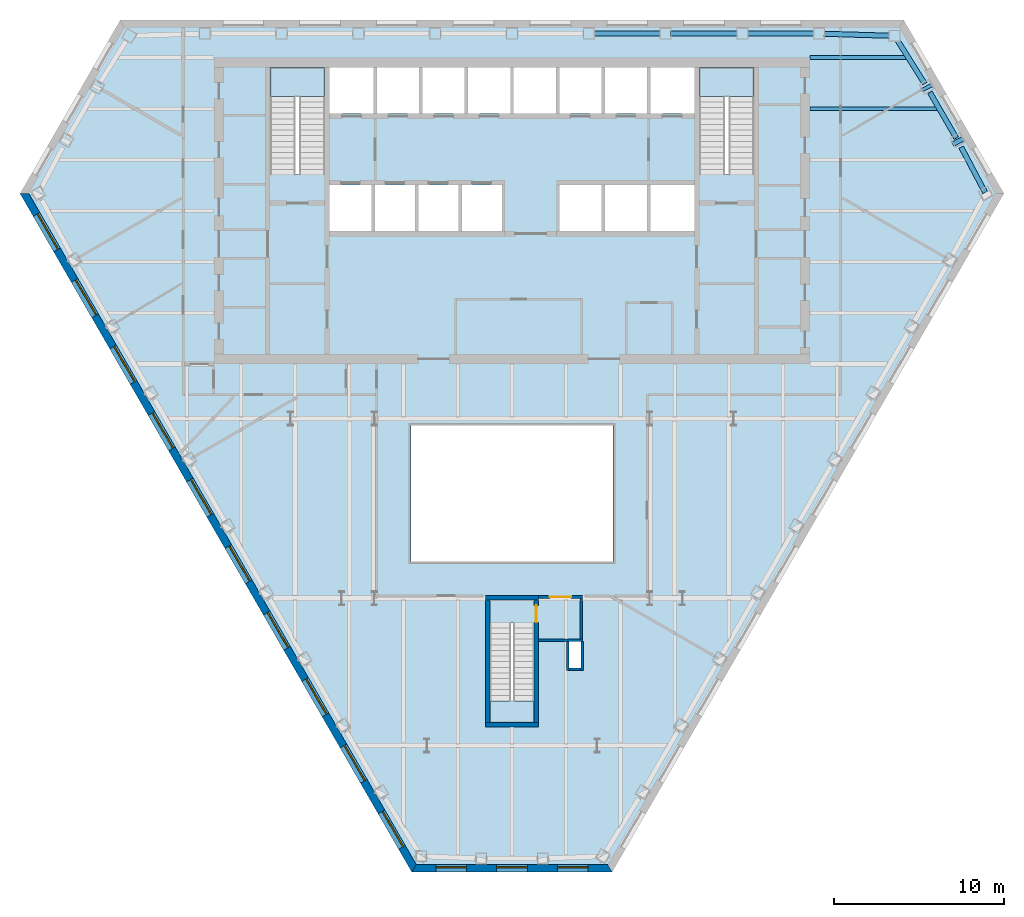
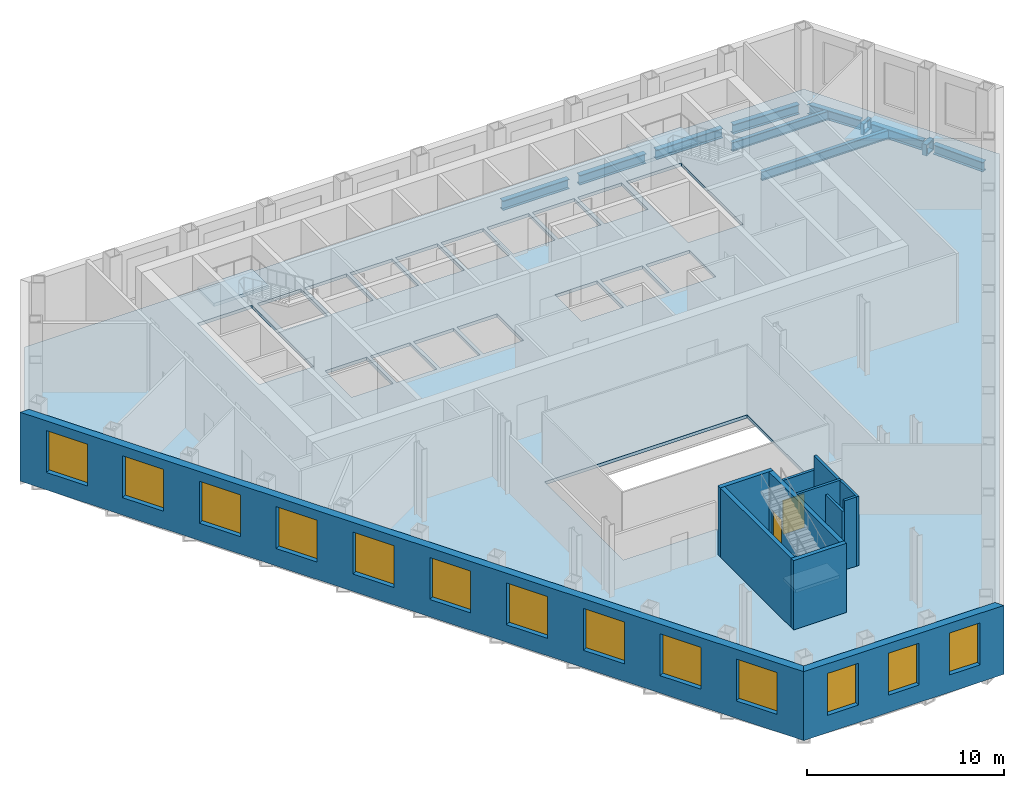
# One storey, part 4 of 11: 13 windows, 12 walls, 11 beams, 4 slabs, 2 doors, 15 openings, 3 elements without a shape of their own.
"""IFC4 building model written with IfcOpenShell, lengths in metres."""

import ifcopenshell
import ifcopenshell.guid

model = None  # the IFC model being written
_history = None  # IfcOwnerHistory: only IFC2X3 demands one
_inside = {}  # id of a spatial element -> (the spatial element, [elements in it])
_under = {}  # id of a project, library or spatial element -> (it, [spatial elements below it])
_declared = {}  # id of a project -> (the project, [libraries it declares])
_typed = {}  # id of a type object -> (the type object, [elements of that type])
_made_of = {}  # id of a material, layer set ... -> (it, [elements and type objects made of it])


def new_model(schema):
    """Start an empty IFC model of exactly this schema.

    Asked for "IFC4X3", IfcOpenShell would pick the latest addendum, in which some entities
    have other attributes; the version numbers below select the first issue.
    IFC2X3 requires an IfcOwnerHistory on every rooted entity: one is made here for all.
    """
    global model, _history
    if schema == "IFC4X3":
        model = ifcopenshell.file(schema_version=(4, 3, 0, 0))
    else:
        model = ifcopenshell.file(schema=schema)
    _inside.clear()
    _under.clear()
    _declared.clear()
    _typed.clear()
    _made_of.clear()
    _history = None
    if model.schema == "IFC2X3":
        org = make("IfcOrganization", Name="unknown")
        user = make(
            "IfcPersonAndOrganization",
            ThePerson=make("IfcPerson", FamilyName="unknown"),
            TheOrganization=org,
        )
        app = make(
            "IfcApplication",
            ApplicationDeveloper=org,
            Version="unknown",
            ApplicationFullName="unknown",
            ApplicationIdentifier="unknown",
        )
        _history = make(
            "IfcOwnerHistory",
            OwningUser=user,
            OwningApplication=app,
            ChangeAction="ADDED",
            CreationDate=0,
        )
    return model


def make(cls, **values):
    """One entity of the class cls with the attributes given. An attribute that is None is left unset."""
    return model.create_entity(
        cls, **{name: value for name, value in values.items() if value is not None}
    )


def rooted(cls, **values):
    """An entity with a GlobalId (a new one), such as an element, a storey or a relation."""
    return make(cls, GlobalId=ifcopenshell.guid.new(), OwnerHistory=_history, **values)


def si_unit(unit_type, name, prefix=None):
    """IfcSIUnit, for example si_unit("LENGTHUNIT", "METRE", prefix="MILLI")."""
    return make("IfcSIUnit", UnitType=unit_type, Prefix=prefix, Name=name)


def assignment(units):
    """IfcUnitAssignment: the units of a project."""
    return None if units is None else make("IfcUnitAssignment", Units=units)


def point(xyz):
    """IfcCartesianPoint."""
    return None if xyz is None else make("IfcCartesianPoint", Coordinates=xyz)


def direction(xyz):
    """IfcDirection."""
    return None if xyz is None else make("IfcDirection", DirectionRatios=xyz)


def frame(location, z_axis=None, x_axis=None):
    """IfcAxis2Placement3D, a coordinate frame: its origin and axes. An axis left out is left unset."""
    return make(
        "IfcAxis2Placement3D",
        Location=point(location),
        Axis=direction(z_axis),
        RefDirection=direction(x_axis),
    )


def frame_2d(location, x_axis=None):
    """IfcAxis2Placement2D, a coordinate frame in the plane: its origin and x axis."""
    return make(
        "IfcAxis2Placement2D", Location=point(location), RefDirection=direction(x_axis)
    )


def origin():
    """The frame at (0, 0, 0) with its axes left unset."""
    return frame((0.0, 0.0, 0.0))


def origin_2d():
    """The frame at (0, 0) in the plane with its x axis left unset."""
    return frame_2d((0.0, 0.0))


def place(relative_to, where):
    """IfcLocalPlacement: puts the frame where relative to a parent placement (None: the world)."""
    return make(
        "IfcLocalPlacement", PlacementRelTo=relative_to, RelativePlacement=where
    )


def context(
    kind, dimensions, precision=None, world=None, true_north=None, identifier=None
):
    """IfcGeometricRepresentationContext, for example the 3D "Model" context."""
    return make(
        "IfcGeometricRepresentationContext",
        ContextIdentifier=identifier,
        ContextType=kind,
        CoordinateSpaceDimension=dimensions,
        Precision=precision,
        WorldCoordinateSystem=world,
        TrueNorth=true_north,
    )


def subcontext(parent, identifier, kind, view, scale=None):
    """IfcGeometricRepresentationSubContext, for example "Body" below "Model"."""
    return make(
        "IfcGeometricRepresentationSubContext",
        ContextIdentifier=identifier,
        ContextType=kind,
        ParentContext=parent,
        TargetScale=scale,
        TargetView=view,
    )


def project(units=None, contexts=None):
    """IfcProject with its units and contexts."""
    return rooted(
        "IfcProject",
        Name="project",
        RepresentationContexts=contexts,
        UnitsInContext=assignment(units),
    )


def spatial(cls, under=None, at=None, **own):
    """A site, building, storey or space (cls), placed at a placement, below another one or the project."""
    s = rooted(cls, ObjectPlacement=at, **own)
    if under is not None:
        _under.setdefault(under.id(), (under, []))[1].append(s)
    return s


def polyline(points):
    """IfcPolyline through the points."""
    return make("IfcPolyline", Points=[point(p) for p in points])


def profile(cls, at=None, kind="AREA", **sizes):
    """A parametric profile (cls). Its sizes go by their IFC names, for example OverallWidth=200.0."""
    return make(cls, ProfileType=kind, Position=at, **sizes)


def rectangle(**sizes):
    """IfcRectangleProfileDef."""
    return profile("IfcRectangleProfileDef", **sizes)


def hollow_rectangle(**sizes):
    """IfcRectangleHollowProfileDef."""
    return profile("IfcRectangleHollowProfileDef", **sizes)


def i_section(**sizes):
    """IfcIShapeProfileDef."""
    return profile("IfcIShapeProfileDef", **sizes)


def outline(outer, holes=None, kind="AREA"):
    """IfcArbitraryClosedProfileDef: a profile drawn as a closed curve; with holes, ...WithVoids."""
    if holes is None:
        return make("IfcArbitraryClosedProfileDef", ProfileType=kind, OuterCurve=outer)
    return make(
        "IfcArbitraryProfileDefWithVoids",
        ProfileType=kind,
        OuterCurve=outer,
        InnerCurves=holes,
    )


def extrude(swept, where, along, depth):
    """IfcExtrudedAreaSolid: the profile swept, set in the frame where, extruded along a direction by depth."""
    return make(
        "IfcExtrudedAreaSolid",
        SweptArea=swept,
        Position=where,
        ExtrudedDirection=direction(along),
        Depth=depth,
    )


def clip(a, b, op="DIFFERENCE"):
    """IfcBooleanClippingResult: the solid a cut by the half space b."""
    return make(
        "IfcBooleanClippingResult", Operator=op, FirstOperand=a, SecondOperand=b
    )


def halfspace(plane, agree):
    """IfcHalfSpaceSolid: all space on one side of the plane z = 0 of the frame plane."""
    return make(
        "IfcHalfSpaceSolid",
        BaseSurface=make("IfcPlane", Position=plane),
        AgreementFlag=agree,
    )


def shape(context_of_items, identifier, shape_type, items):
    """IfcShapeRepresentation: the items that make up one representation, for example the "Body"."""
    return make(
        "IfcShapeRepresentation",
        ContextOfItems=context_of_items,
        RepresentationIdentifier=identifier,
        RepresentationType=shape_type,
        Items=items,
    )


def material(Name=None, Category=None):
    """IfcMaterial."""
    return make("IfcMaterial", Name=Name, Category=Category)


def layer(
    of_material, thickness, ventilated=None, Name=None, Category=None, Priority=None
):
    """IfcMaterialLayer: one layer of a wall or slab, of a material (None: an air gap)."""
    return make(
        "IfcMaterialLayer",
        Material=of_material,
        LayerThickness=thickness,
        IsVentilated=ventilated,
        Name=Name,
        Category=Category,
        Priority=Priority,
    )


def layer_set(layers, Name=None):
    """IfcMaterialLayerSet."""
    return make("IfcMaterialLayerSet", MaterialLayers=layers, LayerSetName=Name)


def material_profile(
    of_material, cross_section, Name=None, Category=None, Priority=None
):
    """IfcMaterialProfile: a cross section and its material."""
    return make(
        "IfcMaterialProfile",
        Name=Name,
        Material=of_material,
        Profile=cross_section,
        Priority=Priority,
        Category=Category,
    )


def profile_set(profiles, Name=None, composite=None):
    """IfcMaterialProfileSet."""
    return make(
        "IfcMaterialProfileSet",
        Name=Name,
        MaterialProfiles=profiles,
        CompositeProfile=composite,
    )


def made_of(thing, what):
    """Note that an element or type object is made of a material, layer set ...; save() writes the relation."""
    if what is not None:
        _made_of.setdefault(what.id(), (what, []))[1].append(thing)
    return thing


def type_object(cls, material=None, **own):
    """A type object (cls), such as IfcWallType, which elements share."""
    return made_of(rooted(cls, **own), material)


def element(
    cls,
    number,
    at=None,
    inside=None,
    cuts=None,
    type_object=None,
    material=None,
    context=None,
    identifier="Body",
    shape_type=None,
    held_by="IfcProductDefinitionShape",
    body=None,
    shapes=None,
    **own,
):
    """One element of the class cls, such as IfcWall. Its Tag is "e" and its number.

    at: its placement. inside: the storey or other place that contains it. cuts: it is an
    opening in that element (IfcRelVoidsElement). A single representation is given by context,
    identifier, shape_type and body (its items); several are given by shapes. held_by: the class
    of the entity that holds the representations. save() writes the other relations.
    """
    e = rooted(cls, Tag="e%d" % number, ObjectPlacement=at, **own)
    if body is not None:
        shapes = [shape(context, identifier, shape_type, body)]
    if shapes is not None:
        e.Representation = make(held_by, Representations=shapes)
    if inside is not None:
        _inside.setdefault(inside.id(), (inside, []))[1].append(e)
    if cuts is not None:
        rooted(
            "IfcRelVoidsElement", RelatingBuildingElement=cuts, RelatedOpeningElement=e
        )
    if type_object is not None:
        _typed.setdefault(type_object.id(), (type_object, []))[1].append(e)
    return made_of(e, material)


def fill(opening, filler):
    """IfcRelFillsElement: the door or window that sits in an opening."""
    return rooted(
        "IfcRelFillsElement",
        RelatingOpeningElement=opening,
        RelatedBuildingElement=filler,
    )


def aggregate(whole, parts):
    """IfcRelAggregates: a whole, such as a stair, and the parts it consists of."""
    return rooted("IfcRelAggregates", RelatingObject=whole, RelatedObjects=parts)


def save(model, path):
    """Write the relations noted so far, then the file.

    IfcRelAggregates (storeys below a building ...), IfcRelContainedInSpatialStructure (elements
    in a storey), IfcRelDefinesByType, IfcRelAssociatesMaterial and IfcRelDeclares: one each for
    every whole, place, type object, material and project.
    """
    for whole, parts in _under.values():
        aggregate(whole, parts)
    for where, things in _inside.values():
        rooted(
            "IfcRelContainedInSpatialStructure",
            RelatedElements=things,
            RelatingStructure=where,
        )
    for kind, things in _typed.values():
        rooted("IfcRelDefinesByType", RelatedObjects=things, RelatingType=kind)
    for what, things in _made_of.values():
        rooted("IfcRelAssociatesMaterial", RelatedObjects=things, RelatingMaterial=what)
    for by, libraries in _declared.values():
        rooted("IfcRelDeclares", RelatingContext=by, RelatedDefinitions=libraries)
    model.write(path)


model = new_model("IFC4")

# Units and contexts
model_context = context("Model", 3, precision=1e-05, world=origin(), true_north=direction((0.0, 1.0)))
body_context = subcontext(model_context, "Body", "Model", "MODEL_VIEW")
ifc_project = project(units=[si_unit("LENGTHUNIT", "METRE"), si_unit("AREAUNIT", "SQUARE_METRE"), si_unit("VOLUMEUNIT", "CUBIC_METRE"), si_unit("PLANEANGLEUNIT", "RADIAN"), si_unit("MASSUNIT", "GRAM", prefix="KILO")], contexts=[model_context])

# Site, building, storey
site_placement = place(None, origin())
site = spatial("IfcSite", under=ifc_project, at=site_placement, CompositionType="ELEMENT")
building_placement = place(site_placement, origin())
building = spatial("IfcBuilding", under=site, at=building_placement, Name="Njiva Tower", CompositionType="ELEMENT")
storey_placement = place(building_placement, frame((0.0, 0.0, 33.3)))
storey = spatial("IfcBuildingStorey", under=building, at=storey_placement, Name="L06", CompositionType="ELEMENT", Elevation=33.3)

# Beams
ifc_material_1 = material(Name="Steel S355 J2", Category="steel")
ifc_material_profile_1 = material_profile(ifc_material_1, i_section(OverallWidth=0.21, OverallDepth=0.55, WebThickness=0.0111, FlangeThickness=0.0172, at=origin_2d()), Name="IPE 550")
ifc_profile_set_1 = profile_set([ifc_material_profile_1], Name="Steel S355 J2")
beam_type_1 = type_object("IfcBeamType", Name="B10 Floor beam to the core IPE 550", PredefinedType="BEAM", material=ifc_profile_set_1)
beam_1_placement = place(storey_placement, frame((17.5, 15.0, -0.475), z_axis=(1.0, 0.0, 0.0), x_axis=(0.0, 1.0, 0.0)))
element("IfcBeam", 1, at=beam_1_placement, inside=storey, type_object=beam_type_1, Name="Floor beam to the core S02-B013", PredefinedType="BEAM", context=body_context, shape_type="Clipping", body=[
    clip(extrude(i_section(OverallWidth=0.21, OverallDepth=0.55, WebThickness=0.0111, FlangeThickness=0.0172, at=origin_2d()), origin(), (0.0, 0.0, 1.0), 7.549), halfspace(frame((0.025, 0.0, 7.4536), z_axis=(0.499998009787, 0.0, 0.866026552831), x_axis=(0.0, 1.0, 0.0)), False)),
])
beam_2_placement = place(storey_placement, frame((17.5, 18.0, -0.475), z_axis=(1.0, 0.0, 0.0), x_axis=(0.0, 1.0, 0.0)))
element("IfcBeam", 2, at=beam_2_placement, inside=storey, type_object=beam_type_1, Name="Floor beam to the core S02-B014", PredefinedType="BEAM", context=body_context, shape_type="Clipping", body=[
    clip(extrude(i_section(OverallWidth=0.21, OverallDepth=0.55, WebThickness=0.0111, FlangeThickness=0.0172, at=origin_2d()), origin(), (0.0, 0.0, 1.0), 5.731), halfspace(frame((0.0266, 0.0, 5.6279), z_axis=(0.53222991141, 0.0, 0.846599859083), x_axis=(0.0, 1.0, 0.0)), False)),
])
ifc_material_profile_2 = material_profile(ifc_material_1, hollow_rectangle(XDim=0.7, YDim=0.7, WallThickness=0.08, at=origin_2d()), Name="BOX 700x700x80")
ifc_profile_set_2 = profile_set([ifc_material_profile_2], Name="Steel S355 J2")
beam_type_2 = type_object("IfcBeamType", Name="B19 Column jog beam BOX 700x700x80", PredefinedType="BEAM", material=ifc_profile_set_2)
beam_3_placement = place(storey_placement, frame((26.258, 12.952, -0.55), z_axis=(-0.471522073271, 0.881854259171, 0.0), x_axis=(-0.881854259171, -0.471522073271, 0.0)))
element("IfcBeam", 3, at=beam_3_placement, inside=storey, type_object=beam_type_2, Name="Column jog beam S02-B060", PredefinedType="BEAM", context=body_context, shape_type="SweptSolid", body=[
    extrude(hollow_rectangle(XDim=0.7, YDim=0.7, WallThickness=0.08, at=origin_2d()), origin(), (0.0, 0.0, 1.0), 0.2778),
])
beam_4_placement = place(storey_placement, frame((24.411, 16.149, -0.55), z_axis=(-0.449231473961, 0.893415403271, 0.0), x_axis=(-0.893415403271, -0.449231473961, 0.0)))
element("IfcBeam", 4, at=beam_4_placement, inside=storey, type_object=beam_type_2, Name="Column jog beam S02-B058", PredefinedType="BEAM", context=body_context, shape_type="SweptSolid", body=[
    extrude(hollow_rectangle(XDim=0.7, YDim=0.7, WallThickness=0.08, at=origin_2d()), origin(), (0.0, 0.0, 1.0), 0.1981),
])
ifc_material_profile_3 = material_profile(ifc_material_1, i_section(OverallWidth=0.3, OverallDepth=0.6, WebThickness=0.0155, FlangeThickness=0.03, at=origin_2d()), Name="HEB 600")
ifc_profile_set_3 = profile_set([ifc_material_profile_3], Name="Steel S355 J2")
beam_type_3 = type_object("IfcBeamType", Name="B3 Short-span spandrel beam HEB 600", PredefinedType="SPANDREL", material=ifc_profile_set_3)
beam_5_placement = place(storey_placement, frame((22.157, 19.276, -0.5), z_axis=(-0.999547870884, 0.030067487615, 0.0), x_axis=(-0.030067487615, -0.999547870884, 0.0)))
element("IfcBeam", 5, at=beam_5_placement, inside=storey, type_object=beam_type_3, Name="Short-span spandrel beam S02-B163", PredefinedType="SPANDREL", context=body_context, shape_type="SweptSolid", body=[
    extrude(i_section(OverallWidth=0.3, OverallDepth=0.6, WebThickness=0.0155, FlangeThickness=0.03, at=origin_2d()), origin(), (0.0, 0.0, 1.0), 3.8247),
])
beam_6_placement = place(storey_placement, frame((17.73, 19.4, -0.5), z_axis=(-1.0, 0.0, 0.0), x_axis=(0.0, -1.0, 0.0)))
element("IfcBeam", 6, at=beam_6_placement, inside=storey, type_object=beam_type_3, Name="Short-span spandrel beam S02-B157", PredefinedType="SPANDREL", context=body_context, shape_type="SweptSolid", body=[
    extrude(i_section(OverallWidth=0.3, OverallDepth=0.6, WebThickness=0.0155, FlangeThickness=0.03, at=origin_2d()), origin(), (0.0, 0.0, 1.0), 3.907),
])
beam_7_placement = place(storey_placement, frame((13.223, 19.4, -0.5), z_axis=(-1.0, 0.0, 0.0), x_axis=(0.0, -1.0, 0.0)))
element("IfcBeam", 7, at=beam_7_placement, inside=storey, type_object=beam_type_3, Name="Short-span spandrel beam S02-B151", PredefinedType="SPANDREL", context=body_context, shape_type="SweptSolid", body=[
    extrude(i_section(OverallWidth=0.3, OverallDepth=0.6, WebThickness=0.0155, FlangeThickness=0.03, at=origin_2d()), origin(), (0.0, 0.0, 1.0), 3.908),
])
beam_8_placement = place(storey_placement, frame((8.715, 19.4, -0.5), z_axis=(-1.0, 0.0, 0.0), x_axis=(0.0, -1.0, 0.0)))
element("IfcBeam", 8, at=beam_8_placement, inside=storey, type_object=beam_type_3, Name="Short-span spandrel beam S02-B146", PredefinedType="SPANDREL", context=body_context, shape_type="SweptSolid", body=[
    extrude(i_section(OverallWidth=0.3, OverallDepth=0.6, WebThickness=0.0155, FlangeThickness=0.03, at=origin_2d()), origin(), (0.0, 0.0, 1.0), 3.907),
])
beam_9_placement = place(storey_placement, frame((27.776, 10.075, -0.5), z_axis=(-0.467047479457, 0.884232238687, 0.0), x_axis=(-0.884232238687, -0.467047479457, 0.0)))
element("IfcBeam", 9, at=beam_9_placement, inside=storey, type_object=beam_type_3, Name="Short-span spandrel beam S02-B178", PredefinedType="SPANDREL", context=body_context, shape_type="SweptSolid", body=[
    extrude(i_section(OverallWidth=0.3, OverallDepth=0.6, WebThickness=0.0155, FlangeThickness=0.03, at=origin_2d()), origin(), (0.0, 0.0, 1.0), 3.0083),
])
beam_10_placement = place(storey_placement, frame((26.084, 13.267, -0.5), z_axis=(-0.499965068118, 0.866045570776, 0.0), x_axis=(-0.866045570776, -0.499965068118, 0.0)))
element("IfcBeam", 10, at=beam_10_placement, inside=storey, type_object=beam_type_3, Name="Short-span spandrel beam S02-B174", PredefinedType="SPANDREL", context=body_context, shape_type="SweptSolid", body=[
    extrude(i_section(OverallWidth=0.3, OverallDepth=0.6, WebThickness=0.0155, FlangeThickness=0.03, at=origin_2d()), origin(), (0.0, 0.0, 1.0), 3.0922),
])
beam_11_placement = place(storey_placement, frame((24.228, 16.465, -0.5), z_axis=(-0.532247769178, 0.846588632221, 0.0), x_axis=(-0.846588632221, -0.532247769178, 0.0)))
element("IfcBeam", 11, at=beam_11_placement, inside=storey, type_object=beam_type_3, Name="Short-span spandrel beam S02-B170", PredefinedType="SPANDREL", context=body_context, shape_type="Clipping", body=[
    clip(extrude(i_section(OverallWidth=0.3, OverallDepth=0.6, WebThickness=0.0155, FlangeThickness=0.03, at=origin_2d()), origin(), (0.0, 0.0, 1.0), 3.0694), halfspace(frame((-0.0264, 0.0, 2.9388), z_axis=(-0.532247769178, 0.0, 0.846588632221), x_axis=(0.0, 1.0, 0.0)), False)),
])

# Stair, slab
ifc_material_2 = material(Name="Concrete C40/50", Category="concrete")
stair_type_1 = type_object("IfcStairType", Name="ST4 Exit stair 1500", PredefinedType="HALF_TURN_STAIR", material=ifc_material_2)
stair_1_placement = place(storey_placement, origin())
stair_1 = element("IfcStair", 12, at=stair_1_placement, inside=storey, type_object=stair_type_1, Name="Stair A", PredefinedType="HALF_TURN_STAIR")
ifc_layer_1 = layer(ifc_material_2, 0.2)
ifc_layer_set_1 = layer_set([ifc_layer_1], Name="Concrete C40/50")
slab_type_1 = type_object("IfcSlabType", Name="FL9 Stair landing 200", PredefinedType="LANDING", material=ifc_layer_set_1)
slab_1_placement = place(storey_placement, frame((0.0, 0.0, 2.05)))
slab_1 = element("IfcSlab", 13, at=slab_1_placement, type_object=slab_type_1, Name="ST-A landing 1", PredefinedType="LANDING", context=body_context, shape_type="SweptSolid", body=[
    extrude(outline(polyline([(-14.206, 15.72), (-10.994, 15.72), (-10.994, 17.4), (-14.206, 17.4), (-14.206, 15.72)])), origin(), (0.0, 0.0, 1.0), 0.2),
])
aggregate(stair_1, [slab_1])

stair_2_placement = place(storey_placement, origin())
stair_2 = element("IfcStair", 14, at=stair_2_placement, inside=storey, type_object=stair_type_1, Name="Stair B", PredefinedType="HALF_TURN_STAIR")
slab_2_placement = place(storey_placement, frame((0.0, 0.0, 2.05)))
slab_2 = element("IfcSlab", 15, at=slab_2_placement, type_object=slab_type_1, Name="ST-B landing 1", PredefinedType="LANDING", context=body_context, shape_type="SweptSolid", body=[
    extrude(outline(polyline([(10.994, 15.72), (14.206, 15.72), (14.206, 17.4), (10.994, 17.4), (10.994, 15.72)])), origin(), (0.0, 0.0, 1.0), 0.2),
])
aggregate(stair_2, [slab_2])

stair_type_2 = type_object("IfcStairType", Name="ST1 Exit stair 1250", PredefinedType="HALF_TURN_STAIR", material=ifc_material_2)
stair_3_placement = place(storey_placement, origin())
stair_3 = element("IfcStair", 16, at=stair_3_placement, inside=storey, type_object=stair_type_2, Name="Stair C", PredefinedType="HALF_TURN_STAIR")
slab_3_placement = place(storey_placement, frame((0.0, 0.0, 2.05)))
slab_3 = element("IfcSlab", 17, at=slab_3_placement, type_object=slab_type_1, Name="ST-C landing 1", PredefinedType="LANDING", context=body_context, shape_type="SweptSolid", body=[
    extrude(outline(polyline([(-1.306, -21.05), (1.306, -21.05), (1.306, -19.78), (-1.306, -19.78), (-1.306, -21.05)])), origin(), (0.0, 0.0, 1.0), 0.2),
])
aggregate(stair_3, [slab_3])

# Slab
ifc_material_3 = material(Name="Concrete C30/37", Category="concrete")
ifc_layer_2 = layer(ifc_material_3, 0.2)
ifc_layer_set_2 = layer_set([ifc_layer_2], Name="Concrete C30/37")
slab_type_2 = type_object("IfcSlabType", Name="SL16 Composite floor slab 200", PredefinedType="FLOOR", material=ifc_layer_set_2)
slab_4_placement = place(storey_placement, frame((0.0, 0.0, -0.2)))
element("IfcSlab", 18, at=slab_4_placement, inside=storey, type_object=slab_type_2, Name="Floor slab L06", PredefinedType="FLOOR", context=body_context, shape_type="SweptSolid", body=[
    extrude(outline(polyline([(28.6252, 10.0155), (5.7501, -29.6053), (-5.7501, -29.6053), (-28.6252, 10.0155), (-22.8751, 19.975), (22.8751, 19.975), (28.6252, 10.0155)]), holes=[polyline([(10.994, 11.13), (14.206, 11.13), (14.206, 17.4), (10.994, 17.4), (10.994, 11.13)]), polyline([(8.125, 17.4), (8.125, 14.7), (10.7, 14.7), (10.7, 17.4), (8.125, 17.4)]), polyline([(8.1333, 10.5), (8.1333, 7.8), (10.7, 7.8), (10.7, 10.5), (8.1333, 10.5)]), polyline([(5.4667, 10.5), (5.4667, 7.8), (7.9333, 7.8), (7.9333, 10.5), (5.4667, 10.5)]), polyline([(5.45, 17.4), (5.45, 14.7), (7.925, 14.7), (7.925, 17.4), (5.45, 17.4)]), polyline([(5.94, -11.6), (5.94, -3.6), (-5.94, -3.6), (-5.94, -11.6), (5.94, -11.6)]), polyline([(2.8, 7.8), (5.2667, 7.8), (5.2667, 10.5), (2.8, 10.5), (2.8, 7.8)]), polyline([(2.775, 14.7), (5.25, 14.7), (5.25, 17.4), (2.775, 17.4), (2.775, 14.7)]), polyline([(3.35, -17.85), (4.05, -17.85), (4.05, -16.3), (3.35, -16.3), (3.35, -17.85)]), polyline([(0.1, 14.7), (2.575, 14.7), (2.575, 17.4), (0.1, 17.4), (0.1, 14.7)]), polyline([(-1.306, -21.05), (1.306, -21.05), (1.306, -15.19), (-1.306, -15.19), (-1.306, -21.05)]), polyline([(-2.575, 17.4), (-2.575, 14.7), (-0.1, 14.7), (-0.1, 17.4), (-2.575, 17.4)]), polyline([(-2.95, 10.5), (-2.95, 7.8), (-0.6, 7.8), (-0.6, 10.5), (-2.95, 10.5)]), polyline([(-5.25, 17.4), (-5.25, 14.7), (-2.775, 14.7), (-2.775, 17.4), (-5.25, 17.4)]), polyline([(-5.5, 10.5), (-5.5, 7.8), (-3.15, 7.8), (-3.15, 10.5), (-5.5, 10.5)]), polyline([(-7.925, 14.7), (-5.45, 14.7), (-5.45, 17.4), (-7.925, 17.4), (-7.925, 14.7)]), polyline([(-8.05, 7.8), (-5.7, 7.8), (-5.7, 10.5), (-8.05, 10.5), (-8.05, 7.8)]), polyline([(-10.7, 14.7), (-8.125, 14.7), (-8.125, 17.4), (-10.7, 17.4), (-10.7, 14.7)]), polyline([(-10.7, 7.8), (-8.25, 7.8), (-8.25, 10.5), (-10.7, 10.5), (-10.7, 7.8)]), polyline([(-14.206, 11.13), (-10.994, 11.13), (-10.994, 17.4), (-14.206, 17.4), (-14.206, 11.13)])]), origin(), (0.0, 0.0, 1.0), 0.2),
])

# Walls
ifc_material_4 = material(Name="Blockwork", Category="masonry")
ifc_layer_3 = layer(ifc_material_4, 0.15)
ifc_layer_set_3 = layer_set([ifc_layer_3], Name="Blockwork")
wall_type_1 = type_object("IfcWallType", Name="WT4 Stair partition 150", PredefinedType="PARTITIONING", material=ifc_layer_set_3)
wall_1_placement = place(storey_placement, frame((1.55, -16.225, 0.0), z_axis=(0.0, 0.0, 1.0), x_axis=(1.0, 0.0, 0.0)))
element("IfcWall", 19, at=wall_1_placement, inside=storey, type_object=wall_type_1, Name="Stair C vestibule wall south", PredefinedType="PARTITIONING", context=body_context, shape_type="SweptSolid", body=[
    extrude(rectangle(XDim=2.6, YDim=0.15, at=frame_2d((1.3, 0.0))), origin(), (0.0, 0.0, 1.0), 4.3),
])
wall_2_placement = place(storey_placement, frame((4.075, -16.15, 0.0), z_axis=(0.0, 0.0, 1.0), x_axis=(0.0, 1.0, 0.0)))
element("IfcWall", 20, at=wall_2_placement, inside=storey, type_object=wall_type_1, Name="Stair C vestibule wall east", PredefinedType="PARTITIONING", context=body_context, shape_type="SweptSolid", body=[
    extrude(rectangle(XDim=2.4, YDim=0.15, at=frame_2d((1.2, 0.0))), origin(), (0.0, 0.0, 1.0), 4.3),
])

# Wall, opening, door
wall_3_placement = place(storey_placement, frame((1.55, -13.675, 0.0), z_axis=(0.0, 0.0, 1.0), x_axis=(1.0, 0.0, 0.0)))
wall_3 = element("IfcWall", 21, at=wall_3_placement, inside=storey, type_object=wall_type_1, Name="Stair C vestibule wall north", PredefinedType="PARTITIONING", context=body_context, shape_type="SweptSolid", body=[
    extrude(rectangle(XDim=2.6, YDim=0.15, at=frame_2d((1.3, 0.0))), origin(), (0.0, 0.0, 1.0), 3.39),
])
opening_1_placement = place(wall_3_placement, frame((0.675, 0.0, 0.0)))
opening_1 = element("IfcOpeningElement", 22, at=opening_1_placement, cuts=wall_3, Name="Opening S02-D940", PredefinedType="OPENING", context=body_context, shape_type="SweptSolid", body=[
    extrude(rectangle(XDim=1.25, YDim=2.1, at=frame_2d((0.625, 1.05))), frame((0.0, 0.085, 0.0), z_axis=(0.0, -1.0, 0.0), x_axis=(1.0, 0.0, 0.0)), (0.0, 0.0, 1.0), 0.17),
])
ifc_material_5 = material(Name="Glazed steel fire door", Category="steel")
door_type_1 = type_object("IfcDoorType", Name="D8 Vestibule corridor door 1250x2100 glazed", OperationType="SINGLE_SWING_LEFT", PredefinedType="DOOR", material=ifc_material_5)
door_1_placement = place(opening_1_placement, origin())
door_1 = element("IfcDoor", 23, at=door_1_placement, inside=storey, type_object=door_type_1, Name="Stair vestibule corridor door", OperationType="SINGLE_SWING_RIGHT", OverallHeight=2.1, OverallWidth=1.25, PredefinedType="DOOR", context=body_context, shape_type="SweptSolid", body=[
    extrude(rectangle(XDim=1.25, YDim=2.1, at=frame_2d((0.625, 1.05))), frame((0.0, 0.025, 0.0), z_axis=(0.0, -1.0, 0.0), x_axis=(1.0, 0.0, 0.0)), (0.0, 0.0, 1.0), 0.05),
])
fill(opening_1, door_1)

# Walls
wall_4_placement = place(storey_placement, frame((3.275, -18.0, 0.0), z_axis=(0.0, 0.0, 1.0), x_axis=(0.0, 1.0, 0.0)))
element("IfcWall", 24, at=wall_4_placement, inside=storey, type_object=wall_type_1, Name="Stair C pressurisation shaft wall", PredefinedType="PARTITIONING", context=body_context, shape_type="SweptSolid", body=[
    extrude(rectangle(XDim=1.7, YDim=0.15, at=frame_2d((0.85, 0.0))), origin(), (0.0, 0.0, 1.0), 3.7),
])
wall_5_placement = place(storey_placement, frame((3.35, -17.925, 0.0), z_axis=(0.0, 0.0, 1.0), x_axis=(1.0, 0.0, 0.0)))
element("IfcWall", 25, at=wall_5_placement, inside=storey, type_object=wall_type_1, Name="Stair C pressurisation shaft wall", PredefinedType="PARTITIONING", context=body_context, shape_type="SweptSolid", body=[
    extrude(rectangle(XDim=0.7, YDim=0.15, at=frame_2d((0.35, 0.0))), origin(), (0.0, 0.0, 1.0), 4.3),
])
wall_6_placement = place(storey_placement, frame((4.125, -18.0, 0.0), z_axis=(0.0, 0.0, 1.0), x_axis=(0.0, 1.0, 0.0)))
element("IfcWall", 26, at=wall_6_placement, inside=storey, type_object=wall_type_1, Name="Stair C pressurisation shaft wall", PredefinedType="PARTITIONING", context=body_context, shape_type="SweptSolid", body=[
    extrude(rectangle(XDim=1.7, YDim=0.15, at=frame_2d((0.85, 0.0))), origin(), (0.0, 0.0, 1.0), 4.3),
])
ifc_layer_4 = layer(ifc_material_2, 0.25)
ifc_layer_set_4 = layer_set([ifc_layer_4], Name="Concrete C40/50")
wall_type_2 = type_object("IfcWallType", Name="WT9 Stair enclosure wall 250", PredefinedType="SHEAR", material=ifc_layer_set_4)
wall_7_placement = place(storey_placement, frame((-1.425, -21.05, 0.0), z_axis=(0.0, 0.0, 1.0), x_axis=(0.0, 1.0, 0.0)))
element("IfcWall", 27, at=wall_7_placement, inside=storey, type_object=wall_type_2, Name="Stair C wall west", PredefinedType="SHEAR", context=body_context, shape_type="SweptSolid", body=[
    extrude(rectangle(XDim=7.2, YDim=0.25, at=frame_2d((3.6, 0.0))), origin(), (0.0, 0.0, 1.0), 4.3),
])

# Wall, opening, door
wall_8_placement = place(storey_placement, frame((1.425, -21.05, 0.0), z_axis=(0.0, 0.0, 1.0), x_axis=(0.0, 1.0, 0.0)))
wall_8 = element("IfcWall", 28, at=wall_8_placement, inside=storey, type_object=wall_type_2, Name="Stair C wall east", PredefinedType="SHEAR", context=body_context, shape_type="SweptSolid", body=[
    extrude(rectangle(XDim=7.2, YDim=0.25, at=frame_2d((3.6, 0.0))), origin(), (0.0, 0.0, 1.0), 4.3),
])
opening_2_placement = place(wall_8_placement, frame((5.89, 0.0, 0.0)))
opening_2 = element("IfcOpeningElement", 29, at=opening_2_placement, cuts=wall_8, Name="Opening S02-D939", PredefinedType="OPENING", context=body_context, shape_type="SweptSolid", body=[
    extrude(rectangle(XDim=1.0, YDim=2.1, at=frame_2d((0.5, 1.05))), frame((0.0, 0.135, 0.0), z_axis=(0.0, -1.0, 0.0), x_axis=(1.0, 0.0, 0.0)), (0.0, 0.0, 1.0), 0.27),
])
door_type_2 = type_object("IfcDoorType", Name="D9 Stair vestibule door 1000x2100 glazed", OperationType="SINGLE_SWING_LEFT", PredefinedType="DOOR", material=ifc_material_5)
door_2_placement = place(opening_2_placement, origin())
door_2 = element("IfcDoor", 30, at=door_2_placement, inside=storey, type_object=door_type_2, Name="Stair C door", OperationType="SINGLE_SWING_LEFT", OverallHeight=2.1, OverallWidth=1.0, PredefinedType="DOOR", context=body_context, shape_type="SweptSolid", body=[
    extrude(rectangle(XDim=1.0, YDim=2.1, at=frame_2d((0.5, 1.05))), frame((0.0, 0.025, 0.0), z_axis=(0.0, -1.0, 0.0), x_axis=(1.0, 0.0, 0.0)), (0.0, 0.0, 1.0), 0.05),
])
fill(opening_2, door_2)

# Walls
for number, where, z_axis, x_axis, name in (
    (31, (-1.55, -21.175, 0.0), (0.0, 0.0, 1.0), (1.0, 0.0, 0.0), "Stair C wall south"),
    (32, (-1.55, -13.725, 0.0), (0.0, 0.0, 1.0), (1.0, 0.0, 0.0), "Stair C wall north"),
):
    element("IfcWall", number, at=place(storey_placement, frame(where, z_axis=z_axis, x_axis=x_axis)), inside=storey, type_object=wall_type_2, Name=name, PredefinedType="SHEAR", context=body_context, shape_type="SweptSolid", body=[
        extrude(rectangle(XDim=3.1, YDim=0.25, at=frame_2d((1.55, 0.0))), origin(), (0.0, 0.0, 1.0), 4.3),
    ])

# Wall, openings, windows
ifc_material_6 = material(Name="Brick masonry", Category="masonry")
ifc_layer_5 = layer(ifc_material_6, 0.45)
ifc_layer_set_5 = layer_set([ifc_layer_5], Name="Brick masonry")
wall_type_3 = type_object("IfcWallType", Name="WT90 Brick pier and spandrel wall 450", PredefinedType="SOLIDWALL", material=ifc_layer_set_5)
wall_9_placement = place(storey_placement, frame((-28.6252, 10.0155, -0.18), z_axis=(0.0, 0.0, 1.0), x_axis=(0.500000335318, -0.866025210188, 0.0)))
wall_9 = element("IfcWall", 33, at=wall_9_placement, inside=storey, type_object=wall_type_3, Name="Facade wall SW", PredefinedType="SOLIDWALL", context=body_context, shape_type="SweptSolid", body=[
    extrude(outline(polyline([(-0.1299, -0.225), (45.8801, -0.225), (45.6203, 0.225), (0.1299, 0.225), (-0.1299, -0.225)])), origin(), (0.0, 0.0, 1.0), 4.28),
])
opening_3_placement = place(wall_9_placement, frame((1.4247, 0.0, 1.08)))
opening_3 = element("IfcOpeningElement", 34, at=opening_3_placement, cuts=wall_9, Name="Opening S02-W12", PredefinedType="OPENING", context=body_context, shape_type="SweptSolid", body=[
    extrude(rectangle(XDim=2.4, YDim=2.6, at=frame_2d((1.2, 1.3))), frame((0.0, 0.235, 0.0), z_axis=(0.0, -1.0, 0.0), x_axis=(1.0, 0.0, 0.0)), (0.0, 0.0, 1.0), 0.47),
])
opening_4_placement = place(wall_9_placement, frame((5.8949, 0.0, 1.08)))
opening_4 = element("IfcOpeningElement", 35, at=opening_4_placement, cuts=wall_9, Name="Opening S02-W13", PredefinedType="OPENING", context=body_context, shape_type="SweptSolid", body=[
    extrude(rectangle(XDim=2.4, YDim=2.6, at=frame_2d((1.2, 1.3))), frame((0.0, 0.235, 0.0), z_axis=(0.0, -1.0, 0.0), x_axis=(1.0, 0.0, 0.0)), (0.0, 0.0, 1.0), 0.47),
])
opening_5_placement = place(wall_9_placement, frame((10.4035, 0.0, 1.08)))
opening_5 = element("IfcOpeningElement", 36, at=opening_5_placement, cuts=wall_9, Name="Opening S02-W14", PredefinedType="OPENING", context=body_context, shape_type="SweptSolid", body=[
    extrude(rectangle(XDim=2.4, YDim=2.6, at=frame_2d((1.2, 1.3))), frame((0.0, 0.235, 0.0), z_axis=(0.0, -1.0, 0.0), x_axis=(1.0, 0.0, 0.0)), (0.0, 0.0, 1.0), 0.47),
])
opening_6_placement = place(wall_9_placement, frame((14.9122, 0.0, 1.08)))
opening_6 = element("IfcOpeningElement", 37, at=opening_6_placement, cuts=wall_9, Name="Opening S02-W15", PredefinedType="OPENING", context=body_context, shape_type="SweptSolid", body=[
    extrude(rectangle(XDim=2.4, YDim=2.6, at=frame_2d((1.2, 1.3))), frame((0.0, 0.235, 0.0), z_axis=(0.0, -1.0, 0.0), x_axis=(1.0, 0.0, 0.0)), (0.0, 0.0, 1.0), 0.47),
])
opening_7_placement = place(wall_9_placement, frame((19.4208, 0.0, 1.08)))
opening_7 = element("IfcOpeningElement", 38, at=opening_7_placement, cuts=wall_9, Name="Opening S02-W16", PredefinedType="OPENING", context=body_context, shape_type="SweptSolid", body=[
    extrude(rectangle(XDim=2.4, YDim=2.6, at=frame_2d((1.2, 1.3))), frame((0.0, 0.235, 0.0), z_axis=(0.0, -1.0, 0.0), x_axis=(1.0, 0.0, 0.0)), (0.0, 0.0, 1.0), 0.47),
])
opening_8_placement = place(wall_9_placement, frame((23.9294, 0.0, 1.08)))
opening_8 = element("IfcOpeningElement", 39, at=opening_8_placement, cuts=wall_9, Name="Opening S02-W17", PredefinedType="OPENING", context=body_context, shape_type="SweptSolid", body=[
    extrude(rectangle(XDim=2.4, YDim=2.6, at=frame_2d((1.2, 1.3))), frame((0.0, 0.235, 0.0), z_axis=(0.0, -1.0, 0.0), x_axis=(1.0, 0.0, 0.0)), (0.0, 0.0, 1.0), 0.47),
])
opening_9_placement = place(wall_9_placement, frame((28.438, 0.0, 1.08)))
opening_9 = element("IfcOpeningElement", 40, at=opening_9_placement, cuts=wall_9, Name="Opening S02-W18", PredefinedType="OPENING", context=body_context, shape_type="SweptSolid", body=[
    extrude(rectangle(XDim=2.4, YDim=2.6, at=frame_2d((1.2, 1.3))), frame((0.0, 0.235, 0.0), z_axis=(0.0, -1.0, 0.0), x_axis=(1.0, 0.0, 0.0)), (0.0, 0.0, 1.0), 0.47),
])
opening_10_placement = place(wall_9_placement, frame((32.9466, 0.0, 1.08)))
opening_10 = element("IfcOpeningElement", 41, at=opening_10_placement, cuts=wall_9, Name="Opening S02-W19", PredefinedType="OPENING", context=body_context, shape_type="SweptSolid", body=[
    extrude(rectangle(XDim=2.4, YDim=2.6, at=frame_2d((1.2, 1.3))), frame((0.0, 0.235, 0.0), z_axis=(0.0, -1.0, 0.0), x_axis=(1.0, 0.0, 0.0)), (0.0, 0.0, 1.0), 0.47),
])
opening_11_placement = place(wall_9_placement, frame((37.4553, 0.0, 1.08)))
opening_11 = element("IfcOpeningElement", 42, at=opening_11_placement, cuts=wall_9, Name="Opening S02-W20", PredefinedType="OPENING", context=body_context, shape_type="SweptSolid", body=[
    extrude(rectangle(XDim=2.4, YDim=2.6, at=frame_2d((1.2, 1.3))), frame((0.0, 0.235, 0.0), z_axis=(0.0, -1.0, 0.0), x_axis=(1.0, 0.0, 0.0)), (0.0, 0.0, 1.0), 0.47),
])
opening_12_placement = place(wall_9_placement, frame((41.9255, 0.0, 1.08)))
opening_12 = element("IfcOpeningElement", 43, at=opening_12_placement, cuts=wall_9, Name="Opening S02-W21", PredefinedType="OPENING", context=body_context, shape_type="SweptSolid", body=[
    extrude(rectangle(XDim=2.4, YDim=2.6, at=frame_2d((1.2, 1.3))), frame((0.0, 0.235, 0.0), z_axis=(0.0, -1.0, 0.0), x_axis=(1.0, 0.0, 0.0)), (0.0, 0.0, 1.0), 0.47),
])
ifc_material_7 = material(Name="Clear glazing in aluminium frame", Category="aluminium")
window_type_1 = type_object("IfcWindowType", Name="W92 Deep-set window 2400x2600", PartitioningType="SINGLE_PANEL", PredefinedType="WINDOW", material=ifc_material_7)
window_1_placement = place(opening_3_placement, origin())
window_1 = element("IfcWindow", 44, at=window_1_placement, inside=storey, type_object=window_type_1, Name="Window", OverallHeight=2.6, OverallWidth=2.4, PartitioningType="SINGLE_PANEL", PredefinedType="WINDOW", context=body_context, shape_type="SweptSolid", body=[
    extrude(rectangle(XDim=2.4, YDim=2.6, at=frame_2d((1.2, 1.3))), frame((0.0, 0.105, 0.0), z_axis=(0.0, -1.0, 0.0), x_axis=(1.0, 0.0, 0.0)), (0.0, 0.0, 1.0), 0.06),
])
fill(opening_3, window_1)
window_2_placement = place(opening_4_placement, origin())
window_2 = element("IfcWindow", 45, at=window_2_placement, inside=storey, type_object=window_type_1, Name="Window", OverallHeight=2.6, OverallWidth=2.4, PartitioningType="SINGLE_PANEL", PredefinedType="WINDOW", context=body_context, shape_type="SweptSolid", body=[
    extrude(rectangle(XDim=2.4, YDim=2.6, at=frame_2d((1.2, 1.3))), frame((0.0, 0.105, 0.0), z_axis=(0.0, -1.0, 0.0), x_axis=(1.0, 0.0, 0.0)), (0.0, 0.0, 1.0), 0.06),
])
fill(opening_4, window_2)
window_3_placement = place(opening_5_placement, origin())
window_3 = element("IfcWindow", 46, at=window_3_placement, inside=storey, type_object=window_type_1, Name="Window", OverallHeight=2.6, OverallWidth=2.4, PartitioningType="SINGLE_PANEL", PredefinedType="WINDOW", context=body_context, shape_type="SweptSolid", body=[
    extrude(rectangle(XDim=2.4, YDim=2.6, at=frame_2d((1.2, 1.3))), frame((0.0, 0.105, 0.0), z_axis=(0.0, -1.0, 0.0), x_axis=(1.0, 0.0, 0.0)), (0.0, 0.0, 1.0), 0.06),
])
fill(opening_5, window_3)
window_4_placement = place(opening_6_placement, origin())
window_4 = element("IfcWindow", 47, at=window_4_placement, inside=storey, type_object=window_type_1, Name="Window", OverallHeight=2.6, OverallWidth=2.4, PartitioningType="SINGLE_PANEL", PredefinedType="WINDOW", context=body_context, shape_type="SweptSolid", body=[
    extrude(rectangle(XDim=2.4, YDim=2.6, at=frame_2d((1.2, 1.3))), frame((0.0, 0.105, 0.0), z_axis=(0.0, -1.0, 0.0), x_axis=(1.0, 0.0, 0.0)), (0.0, 0.0, 1.0), 0.06),
])
fill(opening_6, window_4)
window_5_placement = place(opening_7_placement, origin())
window_5 = element("IfcWindow", 48, at=window_5_placement, inside=storey, type_object=window_type_1, Name="Window", OverallHeight=2.6, OverallWidth=2.4, PartitioningType="SINGLE_PANEL", PredefinedType="WINDOW", context=body_context, shape_type="SweptSolid", body=[
    extrude(rectangle(XDim=2.4, YDim=2.6, at=frame_2d((1.2, 1.3))), frame((0.0, 0.105, 0.0), z_axis=(0.0, -1.0, 0.0), x_axis=(1.0, 0.0, 0.0)), (0.0, 0.0, 1.0), 0.06),
])
fill(opening_7, window_5)
window_6_placement = place(opening_8_placement, origin())
window_6 = element("IfcWindow", 49, at=window_6_placement, inside=storey, type_object=window_type_1, Name="Window", OverallHeight=2.6, OverallWidth=2.4, PartitioningType="SINGLE_PANEL", PredefinedType="WINDOW", context=body_context, shape_type="SweptSolid", body=[
    extrude(rectangle(XDim=2.4, YDim=2.6, at=frame_2d((1.2, 1.3))), frame((0.0, 0.105, 0.0), z_axis=(0.0, -1.0, 0.0), x_axis=(1.0, 0.0, 0.0)), (0.0, 0.0, 1.0), 0.06),
])
fill(opening_8, window_6)
window_7_placement = place(opening_9_placement, origin())
window_7 = element("IfcWindow", 50, at=window_7_placement, inside=storey, type_object=window_type_1, Name="Window", OverallHeight=2.6, OverallWidth=2.4, PartitioningType="SINGLE_PANEL", PredefinedType="WINDOW", context=body_context, shape_type="SweptSolid", body=[
    extrude(rectangle(XDim=2.4, YDim=2.6, at=frame_2d((1.2, 1.3))), frame((0.0, 0.105, 0.0), z_axis=(0.0, -1.0, 0.0), x_axis=(1.0, 0.0, 0.0)), (0.0, 0.0, 1.0), 0.06),
])
fill(opening_9, window_7)
window_8_placement = place(opening_10_placement, origin())
window_8 = element("IfcWindow", 51, at=window_8_placement, inside=storey, type_object=window_type_1, Name="Window", OverallHeight=2.6, OverallWidth=2.4, PartitioningType="SINGLE_PANEL", PredefinedType="WINDOW", context=body_context, shape_type="SweptSolid", body=[
    extrude(rectangle(XDim=2.4, YDim=2.6, at=frame_2d((1.2, 1.3))), frame((0.0, 0.105, 0.0), z_axis=(0.0, -1.0, 0.0), x_axis=(1.0, 0.0, 0.0)), (0.0, 0.0, 1.0), 0.06),
])
fill(opening_10, window_8)
window_9_placement = place(opening_11_placement, origin())
window_9 = element("IfcWindow", 52, at=window_9_placement, inside=storey, type_object=window_type_1, Name="Window", OverallHeight=2.6, OverallWidth=2.4, PartitioningType="SINGLE_PANEL", PredefinedType="WINDOW", context=body_context, shape_type="SweptSolid", body=[
    extrude(rectangle(XDim=2.4, YDim=2.6, at=frame_2d((1.2, 1.3))), frame((0.0, 0.105, 0.0), z_axis=(0.0, -1.0, 0.0), x_axis=(1.0, 0.0, 0.0)), (0.0, 0.0, 1.0), 0.06),
])
fill(opening_11, window_9)
window_10_placement = place(opening_12_placement, origin())
window_10 = element("IfcWindow", 53, at=window_10_placement, inside=storey, type_object=window_type_1, Name="Window", OverallHeight=2.6, OverallWidth=2.4, PartitioningType="SINGLE_PANEL", PredefinedType="WINDOW", context=body_context, shape_type="SweptSolid", body=[
    extrude(rectangle(XDim=2.4, YDim=2.6, at=frame_2d((1.2, 1.3))), frame((0.0, 0.105, 0.0), z_axis=(0.0, -1.0, 0.0), x_axis=(1.0, 0.0, 0.0)), (0.0, 0.0, 1.0), 0.06),
])
fill(opening_12, window_10)

ifc_material_8 = material(Name="Brick masonry, buff", Category="masonry")
ifc_layer_6 = layer(ifc_material_8, 0.45)
ifc_layer_set_6 = layer_set([ifc_layer_6], Name="Brick masonry, buff")
wall_type_4 = type_object("IfcWallType", Name="WT94 Brick pier and spandrel wall 450, buff", PredefinedType="SOLIDWALL", material=ifc_layer_set_6)
wall_10_placement = place(storey_placement, frame((-5.7501, -29.6053, -0.18), z_axis=(0.0, 0.0, 1.0), x_axis=(1.0, 0.0, 0.0)))
wall_10 = element("IfcWall", 54, at=wall_10_placement, inside=storey, type_object=wall_type_4, Name="Facade wall S", PredefinedType="SOLIDWALL", context=body_context, shape_type="SweptSolid", body=[
    extrude(outline(polyline([(-0.1299, -0.225), (11.6301, -0.225), (11.3703, 0.225), (0.1299, 0.225), (-0.1299, -0.225)])), origin(), (0.0, 0.0, 1.0), 4.28),
])
opening_13_placement = place(wall_10_placement, frame((1.2764, 0.0, 1.08)))
opening_13 = element("IfcOpeningElement", 55, at=opening_13_placement, cuts=wall_10, Name="Opening S02-W22", PredefinedType="OPENING", context=body_context, shape_type="SweptSolid", body=[
    extrude(rectangle(XDim=1.8, YDim=2.6, at=frame_2d((0.9, 1.3))), frame((0.0, 0.235, 0.0), z_axis=(0.0, -1.0, 0.0), x_axis=(1.0, 0.0, 0.0)), (0.0, 0.0, 1.0), 0.47),
])
opening_14_placement = place(wall_10_placement, frame((4.8501, 0.0, 1.08)))
opening_14 = element("IfcOpeningElement", 56, at=opening_14_placement, cuts=wall_10, Name="Opening S02-W23", PredefinedType="OPENING", context=body_context, shape_type="SweptSolid", body=[
    extrude(rectangle(XDim=1.8, YDim=2.6, at=frame_2d((0.9, 1.3))), frame((0.0, 0.235, 0.0), z_axis=(0.0, -1.0, 0.0), x_axis=(1.0, 0.0, 0.0)), (0.0, 0.0, 1.0), 0.47),
])
opening_15_placement = place(wall_10_placement, frame((8.4237, 0.0, 1.08)))
opening_15 = element("IfcOpeningElement", 57, at=opening_15_placement, cuts=wall_10, Name="Opening S02-W24", PredefinedType="OPENING", context=body_context, shape_type="SweptSolid", body=[
    extrude(rectangle(XDim=1.8, YDim=2.6, at=frame_2d((0.9, 1.3))), frame((0.0, 0.235, 0.0), z_axis=(0.0, -1.0, 0.0), x_axis=(1.0, 0.0, 0.0)), (0.0, 0.0, 1.0), 0.47),
])
window_type_2 = type_object("IfcWindowType", Name="W96 Deep-set window 1800x2600", PartitioningType="SINGLE_PANEL", PredefinedType="WINDOW", material=ifc_material_7)
window_11_placement = place(opening_13_placement, origin())
window_11 = element("IfcWindow", 58, at=window_11_placement, inside=storey, type_object=window_type_2, Name="Window", OverallHeight=2.6, OverallWidth=1.8, PartitioningType="SINGLE_PANEL", PredefinedType="WINDOW", context=body_context, shape_type="SweptSolid", body=[
    extrude(rectangle(XDim=1.8, YDim=2.6, at=frame_2d((0.9, 1.3))), frame((0.0, 0.105, 0.0), z_axis=(0.0, -1.0, 0.0), x_axis=(1.0, 0.0, 0.0)), (0.0, 0.0, 1.0), 0.06),
])
fill(opening_13, window_11)
window_12_placement = place(opening_14_placement, origin())
window_12 = element("IfcWindow", 59, at=window_12_placement, inside=storey, type_object=window_type_2, Name="Window", OverallHeight=2.6, OverallWidth=1.8, PartitioningType="SINGLE_PANEL", PredefinedType="WINDOW", context=body_context, shape_type="SweptSolid", body=[
    extrude(rectangle(XDim=1.8, YDim=2.6, at=frame_2d((0.9, 1.3))), frame((0.0, 0.105, 0.0), z_axis=(0.0, -1.0, 0.0), x_axis=(1.0, 0.0, 0.0)), (0.0, 0.0, 1.0), 0.06),
])
fill(opening_14, window_12)
window_13_placement = place(opening_15_placement, origin())
window_13 = element("IfcWindow", 60, at=window_13_placement, inside=storey, type_object=window_type_2, Name="Window", OverallHeight=2.6, OverallWidth=1.8, PartitioningType="SINGLE_PANEL", PredefinedType="WINDOW", context=body_context, shape_type="SweptSolid", body=[
    extrude(rectangle(XDim=1.8, YDim=2.6, at=frame_2d((0.9, 1.3))), frame((0.0, 0.105, 0.0), z_axis=(0.0, -1.0, 0.0), x_axis=(1.0, 0.0, 0.0)), (0.0, 0.0, 1.0), 0.06),
])
fill(opening_15, window_13)

save(model, "model.ifc")
